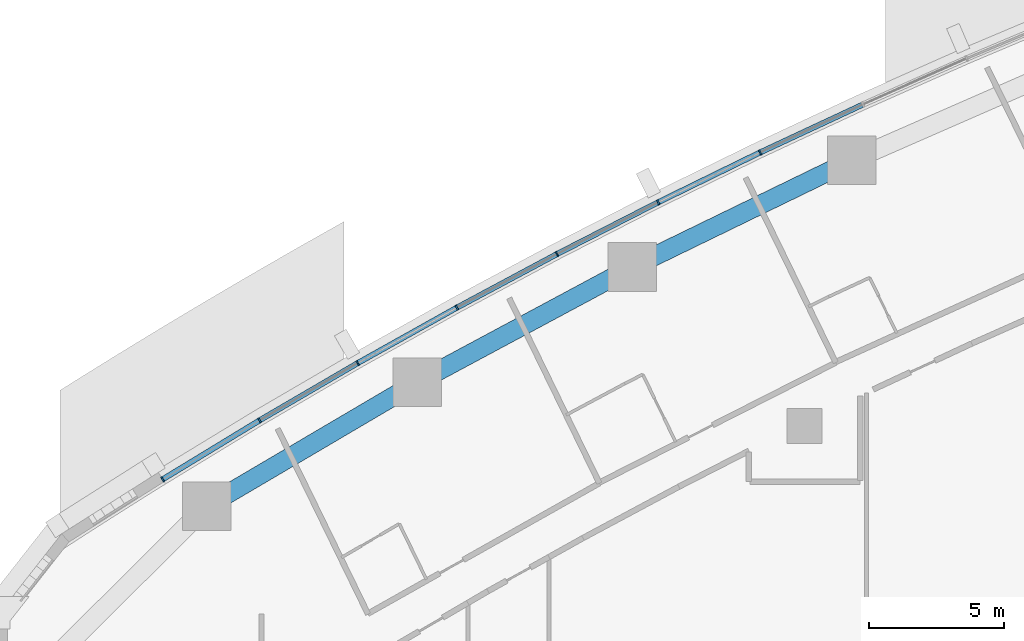
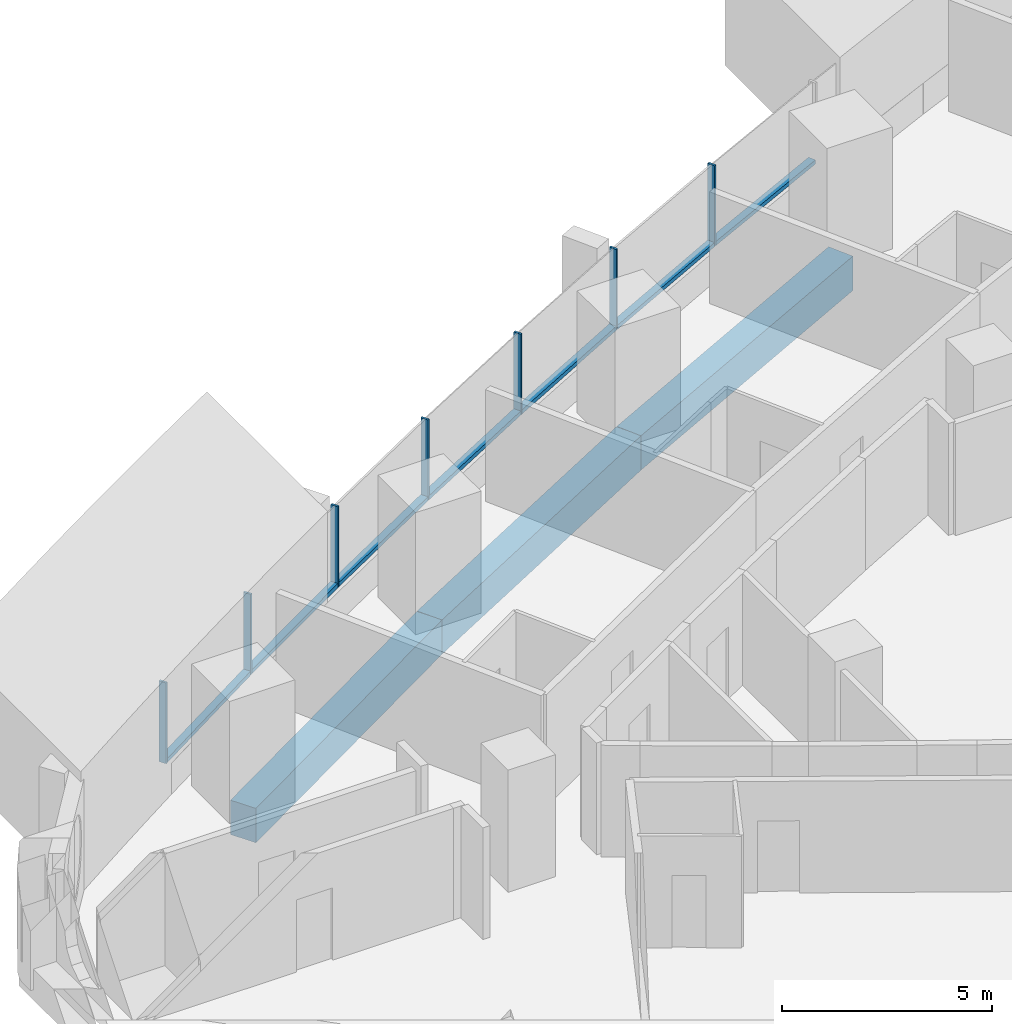
# One storey, part 5 of 18: 14 members, 3 beams, 3 elements without a shape of their own.
"""IFC4 building model written with IfcOpenShell, lengths in metres."""

from ifc_helpers import new_model, si_unit, direction, frame, origin, origin_2d, place, context, subcontext, project, spatial, rectangle, extrude, material, layer, layer_set, material_profile, profile_set, type_object, element, aggregate, save


model = new_model("IFC4")

# Units and contexts
model_context = context("Model", 3, precision=1e-05, world=origin(), true_north=direction((0.0, 1.0)))
body_context = subcontext(model_context, "Body", "Model", "MODEL_VIEW")
ifc_project = project(units=[si_unit("LENGTHUNIT", "METRE"), si_unit("AREAUNIT", "SQUARE_METRE"), si_unit("VOLUMEUNIT", "CUBIC_METRE"), si_unit("PLANEANGLEUNIT", "RADIAN"), si_unit("MASSUNIT", "GRAM", prefix="KILO")], contexts=[model_context])

# Site, building, storey
site_placement = place(None, origin())
site = spatial("IfcSite", under=ifc_project, at=site_placement, CompositionType="ELEMENT")
building_placement = place(site_placement, origin())
building = spatial("IfcBuilding", under=site, at=building_placement, Name="Ostrand Prow Hotel Tower", CompositionType="ELEMENT")
storey_placement = place(building_placement, frame((0.0, 0.0, 57.35009765625)))
storey = spatial("IfcBuildingStorey", under=building, at=storey_placement, Name="L12", CompositionType="ELEMENT", Elevation=57.35009765625)

# Beams
ifc_material_1 = material(Name="Concrete C80/95", Category="concrete")
ifc_material_profile_1 = material_profile(ifc_material_1, rectangle(XDim=0.699951171875, YDim=1.0, at=origin_2d()), Name="RC 700x1000")
ifc_profile_set_1 = profile_set([ifc_material_profile_1], Name="Concrete C80/95")
beam_type = type_object("IfcBeamType", Name="Edge beam 700x1000 C80/95", PredefinedType="SPANDREL", material=ifc_profile_set_1)
beam_1_placement = place(storey_placement, frame((35.7412109375, 18.814208984375, -0.800048828125), z_axis=(-0.899382499202, -0.437162578601, 0.0), x_axis=(0.437162578601, -0.899382499202, 0.0)))
element("IfcBeam", 1, at=beam_1_placement, inside=storey, type_object=beam_type, Name="Edge beam N3-N4", PredefinedType="SPANDREL", context=body_context, shape_type="SweptSolid", body=[
    extrude(rectangle(XDim=0.699951171875, YDim=1.0, at=origin_2d()), origin(), (0.0, 0.0, 1.0), 9.012451171875),
])
beam_2_placement = place(storey_placement, frame((27.635498046875, 14.874267578125, -0.800048828125), z_axis=(-0.881270074696, -0.472613008122, 0.0), x_axis=(0.472613008122, -0.881270074696, 0.0)))
element("IfcBeam", 2, at=beam_2_placement, inside=storey, type_object=beam_type, Name="Edge beam N4-N5", PredefinedType="SPANDREL", context=body_context, shape_type="SweptSolid", body=[
    extrude(rectangle(XDim=0.699951171875, YDim=1.0, at=origin_2d()), origin(), (0.0, 0.0, 1.0), 9.0126953125),
])
beam_3_placement = place(storey_placement, frame((19.69287109375, 10.61474609375, -0.800048828125), z_axis=(-0.861725230108, -0.507375233722, 0.0), x_axis=(0.507375233722, -0.861725230108, 0.0)))
element("IfcBeam", 3, at=beam_3_placement, inside=storey, type_object=beam_type, Name="Edge beam N5-N6", PredefinedType="SPANDREL", context=body_context, shape_type="SweptSolid", body=[
    extrude(rectangle(XDim=0.699951171875, YDim=1.0, at=origin_2d()), origin(), (0.0, 0.0, 1.0), 9.012451171875),
])

# Curtain wall, members
ifc_material_2 = material(Name="Insulated glass in bronze anodised frame", Category="glass")
ifc_layer = layer(ifc_material_2, 0.199951171875)
ifc_layer_set = layer_set([ifc_layer], Name="Insulated glass in bronze anodised frame")
curtain_wall_type = type_object("IfcCurtainWallType", Name="Strip curtain wall, fritted glass over bronze spandrel", PredefinedType="NOTDEFINED", material=ifc_layer_set)
curtain_wall_1_placement = place(storey_placement, origin())
curtain_wall_1 = element("IfcCurtainWall", 4, at=curtain_wall_1_placement, inside=storey, type_object=curtain_wall_type, Name="CW1 run CWN3", PredefinedType="NOTDEFINED")
ifc_material_3 = material(Name="Bronze anodised aluminium", Category="aluminium")
ifc_material_profile_2 = material_profile(ifc_material_3, rectangle(XDim=0.199951171875, YDim=0.06005859375, at=origin_2d()), Name="Mullion 60x200 bronze anodised aluminium")
ifc_profile_set_2 = profile_set([ifc_material_profile_2], Name="Bronze anodised aluminium")
member_type_1 = type_object("IfcMemberType", Name="Mullion 60x200 bronze anodised aluminium", PredefinedType="MULLION", material=ifc_profile_set_2)
member_1_placement = place(storey_placement, frame((32.360595703125, 19.10498046875, 0.89990234375), z_axis=(0.0, 0.0, 1.0), x_axis=(0.439138077204, -0.898419584131, 0.0)))
member_1 = element("IfcMember", 5, at=member_1_placement, type_object=member_type_1, Name="CW1 mullion 2", PredefinedType="MULLION", context=body_context, shape_type="SweptSolid", body=[
    extrude(rectangle(XDim=0.199951171875, YDim=0.06005859375, at=origin_2d()), origin(), (0.0, 0.0, 1.0), 2.35009765625),
])
member_2_placement = place(storey_placement, frame((28.59228515625, 17.262939453125, 0.89990234375), z_axis=(0.0, 0.0, 1.0), x_axis=(0.439138077204, -0.898419584131, 0.0)))
member_2 = element("IfcMember", 6, at=member_2_placement, type_object=member_type_1, Name="CW1 mullion 3", PredefinedType="MULLION", context=body_context, shape_type="SweptSolid", body=[
    extrude(rectangle(XDim=0.199951171875, YDim=0.06005859375, at=origin_2d()), origin(), (0.0, 0.0, 1.0), 2.35009765625),
])

curtain_wall_2_placement = place(storey_placement, origin())
curtain_wall_2 = element("IfcCurtainWall", 7, at=curtain_wall_2_placement, inside=storey, type_object=curtain_wall_type, Name="CW1 run CWN4", PredefinedType="NOTDEFINED")
member_3_placement = place(storey_placement, frame((24.858642578125, 15.35205078125, 0.89990234375), z_axis=(0.0, 0.0, 1.0), x_axis=(0.471899992481, -0.881652083929, 0.0)))
member_3 = element("IfcMember", 8, at=member_3_placement, type_object=member_type_1, Name="CW1 mullion 2", PredefinedType="MULLION", context=body_context, shape_type="SweptSolid", body=[
    extrude(rectangle(XDim=0.199951171875, YDim=0.06005859375, at=origin_2d()), origin(), (0.0, 0.0, 1.0), 2.35009765625),
])
member_4_placement = place(storey_placement, frame((21.160888671875, 13.372802734375, 0.89990234375), z_axis=(0.0, 0.0, 1.0), x_axis=(0.488043996167, -0.872819029241, 0.0)))
member_4 = element("IfcMember", 9, at=member_4_placement, type_object=member_type_1, Name="CW1 mullion 3", PredefinedType="MULLION", context=body_context, shape_type="SweptSolid", body=[
    extrude(rectangle(XDim=0.199951171875, YDim=0.06005859375, at=origin_2d()), origin(), (0.0, 0.0, 1.0), 2.35009765625),
])
member_5_placement = place(storey_placement, frame((17.5, 11.325927734375, 0.89990234375), z_axis=(0.0, 0.0, 1.0), x_axis=(0.488043996167, -0.872819029241, 0.0)))
member_5 = element("IfcMember", 10, at=member_5_placement, type_object=member_type_1, Name="CW1 mullion 4", PredefinedType="MULLION", context=body_context, shape_type="SweptSolid", body=[
    extrude(rectangle(XDim=0.199951171875, YDim=0.06005859375, at=origin_2d()), origin(), (0.0, 0.0, 1.0), 2.35009765625),
])

curtain_wall_3_placement = place(storey_placement, origin())
curtain_wall_3 = element("IfcCurtainWall", 11, at=curtain_wall_3_placement, inside=storey, type_object=curtain_wall_type, Name="CW1 run CWN5", PredefinedType="NOTDEFINED")
member_6_placement = place(storey_placement, frame((13.87744140625, 9.2119140625, 0.89990234375), z_axis=(0.0, 0.0, 1.0), x_axis=(0.519830761515, -0.854269266322, 0.0)))
member_6 = element("IfcMember", 12, at=member_6_placement, type_object=member_type_1, Name="CW1 mullion 2", PredefinedType="MULLION", context=body_context, shape_type="SweptSolid", body=[
    extrude(rectangle(XDim=0.199951171875, YDim=0.06005859375, at=origin_2d()), origin(), (0.0, 0.0, 1.0), 2.35009765625),
])
member_7_placement = place(storey_placement, frame((10.29443359375, 7.031494140625, 0.89990234375), z_axis=(0.0, 0.0, 1.0), x_axis=(0.519830761515, -0.854269266322, 0.0)))
member_7 = element("IfcMember", 13, at=member_7_placement, type_object=member_type_1, Name="CW1 mullion 3", PredefinedType="MULLION", context=body_context, shape_type="SweptSolid", body=[
    extrude(rectangle(XDim=0.199951171875, YDim=0.06005859375, at=origin_2d()), origin(), (0.0, 0.0, 1.0), 2.35009765625),
])

# Member
ifc_material_4 = material(Name="Bronze anodised aluminium", Category="aluminium")
ifc_material_profile_3 = material_profile(ifc_material_4, rectangle(XDim=0.199951171875, YDim=0.1201171875, at=origin_2d()), Name="Transom 120x200 bronze anodised aluminium")
ifc_profile_set_3 = profile_set([ifc_material_profile_3], Name="Bronze anodised aluminium")
member_type_2 = type_object("IfcMemberType", Name="Transom 120x200 bronze anodised aluminium", PredefinedType="USERDEFINED", material=ifc_profile_set_3)
member_8_placement = place(storey_placement, frame((36.135009765625, 20.864501953125, 0.9599609375), z_axis=(-0.906338458793, -0.422552479714, 0.0), x_axis=(0.422552479714, -0.906338458793, 0.0)))
member_8 = element("IfcMember", 14, at=member_8_placement, type_object=member_type_2, Name="CW1 transom 1.1", ObjectType="TRANSOM", PredefinedType="USERDEFINED", context=body_context, shape_type="SweptSolid", body=[
    extrude(rectangle(XDim=0.199951171875, YDim=0.1201171875, at=origin_2d()), origin(), (0.0, 0.0, 1.0), 4.134521484375),
])

member_9_placement = place(storey_placement, frame((32.33349609375, 19.091796875, 0.9599609375), z_axis=(-0.898395234758, -0.439187889364, 0.0), x_axis=(0.439187889364, -0.898395234758, 0.0)))
member_9 = element("IfcMember", 15, at=member_9_placement, type_object=member_type_2, Name="CW1 transom 2.1", ObjectType="TRANSOM", PredefinedType="USERDEFINED", context=body_context, shape_type="SweptSolid", body=[
    extrude(rectangle(XDim=0.199951171875, YDim=0.1201171875, at=origin_2d()), origin(), (0.0, 0.0, 1.0), 4.13427734375),
])

aggregate(curtain_wall_1, [member_1, member_2, member_8, member_9])

member_10_placement = place(storey_placement, frame((28.565673828125, 17.249267578125, 0.9599609375), z_axis=(-0.890182999343, -0.455603147136, 0.0), x_axis=(0.455603147136, -0.890182999343, 0.0)))
member_10 = element("IfcMember", 16, at=member_10_placement, type_object=member_type_2, Name="CW1 transom 1.1", ObjectType="TRANSOM", PredefinedType="USERDEFINED", context=body_context, shape_type="SweptSolid", body=[
    extrude(rectangle(XDim=0.199951171875, YDim=0.1201171875, at=origin_2d()), origin(), (0.0, 0.0, 1.0), 4.13427734375),
])

member_11_placement = place(storey_placement, frame((24.832275390625, 15.337890625, 0.9599609375), z_axis=(-0.881657241639, -0.471890356191, 0.0), x_axis=(0.471890356191, -0.881657241639, 0.0)))
member_11 = element("IfcMember", 17, at=member_11_placement, type_object=member_type_2, Name="CW1 transom 2.1", ObjectType="TRANSOM", PredefinedType="USERDEFINED", context=body_context, shape_type="SweptSolid", body=[
    extrude(rectangle(XDim=0.199951171875, YDim=0.1201171875, at=origin_2d()), origin(), (0.0, 0.0, 1.0), 4.13427734375),
])

member_12_placement = place(storey_placement, frame((21.134765625, 13.358154296875, 0.9599609375), z_axis=(-0.872842137405, -0.488002667175, 0.0), x_axis=(0.488002667175, -0.872842137405, 0.0)))
member_12 = element("IfcMember", 18, at=member_12_placement, type_object=member_type_2, Name="CW1 transom 3.1", ObjectType="TRANSOM", PredefinedType="USERDEFINED", context=body_context, shape_type="SweptSolid", body=[
    extrude(rectangle(XDim=0.199951171875, YDim=0.1201171875, at=origin_2d()), origin(), (0.0, 0.0, 1.0), 4.13427734375),
])

aggregate(curtain_wall_2, [member_3, member_4, member_5, member_10, member_11, member_12])

member_13_placement = place(storey_placement, frame((17.47412109375, 11.310791015625, 0.9599609375), z_axis=(-0.863697501622, -0.504010541251, 0.0), x_axis=(0.504010541251, -0.863697501622, 0.0)))
member_13 = element("IfcMember", 19, at=member_13_placement, type_object=member_type_2, Name="CW1 transom 1.1", ObjectType="TRANSOM", PredefinedType="USERDEFINED", context=body_context, shape_type="SweptSolid", body=[
    extrude(rectangle(XDim=0.199951171875, YDim=0.1201171875, at=origin_2d()), origin(), (0.0, 0.0, 1.0), 4.13427734375),
])

member_14_placement = place(storey_placement, frame((13.851806640625, 9.1962890625, 0.9599609375), z_axis=(-0.8542612678, -0.519843905741, 0.0), x_axis=(0.519843905741, -0.8542612678, 0.0)))
member_14 = element("IfcMember", 20, at=member_14_placement, type_object=member_type_2, Name="CW1 transom 2.1", ObjectType="TRANSOM", PredefinedType="USERDEFINED", context=body_context, shape_type="SweptSolid", body=[
    extrude(rectangle(XDim=0.199951171875, YDim=0.1201171875, at=origin_2d()), origin(), (0.0, 0.0, 1.0), 4.13427734375),
])

aggregate(curtain_wall_3, [member_6, member_7, member_13, member_14])

save(model, "model.ifc")
